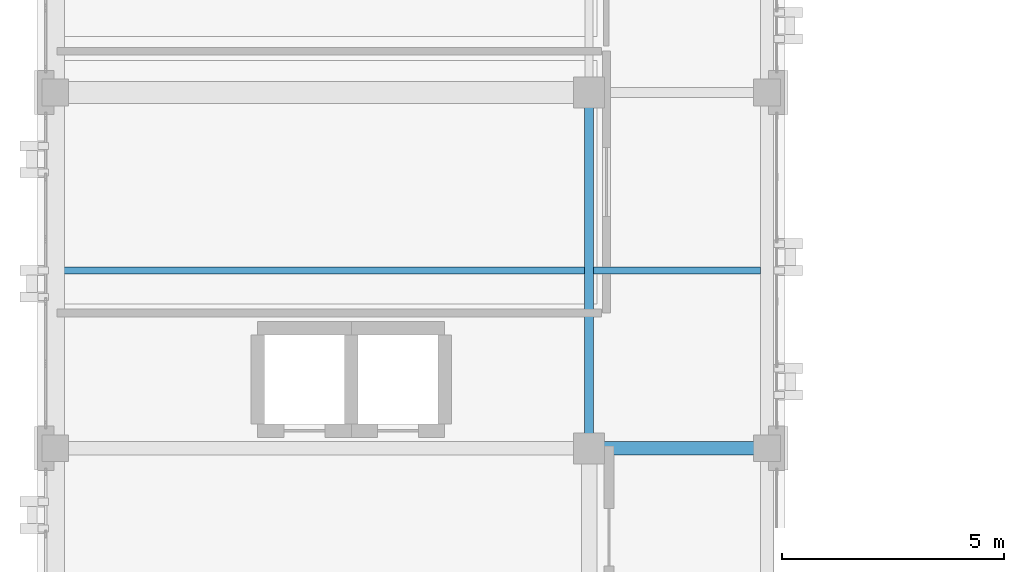
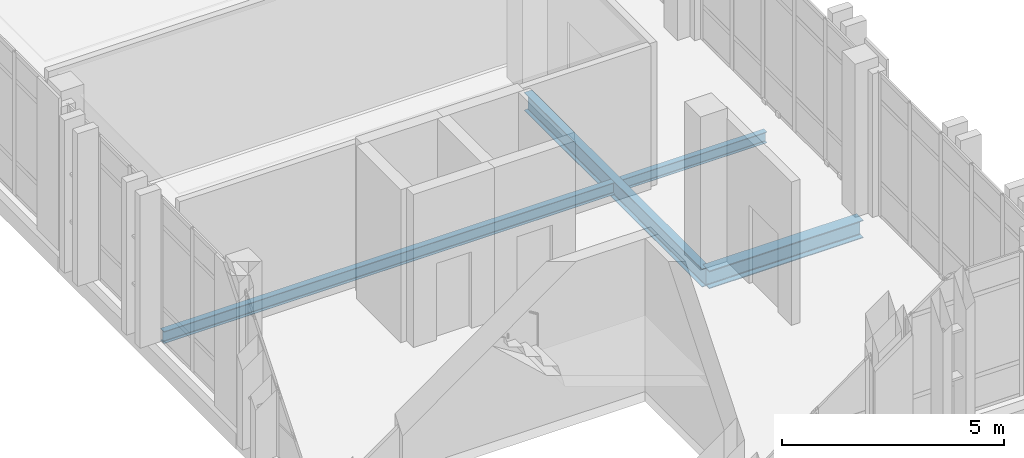
# One storey, part 6 of 77: 4 beams.
"""IFC4 building model written with IfcOpenShell, lengths in metres."""

from ifc_helpers import new_model, si_unit, direction, frame, origin, origin_2d, place, context, subcontext, project, spatial, i_section, extrude, material, material_profile, profile_set, type_object, element, save


model = new_model("IFC4")

# Units and contexts
model_context = context("Model", 3, precision=1e-05, world=origin(), true_north=direction((0.0, 1.0)))
body_context = subcontext(model_context, "Body", "Model", "MODEL_VIEW")
ifc_project = project(units=[si_unit("LENGTHUNIT", "METRE"), si_unit("AREAUNIT", "SQUARE_METRE"), si_unit("VOLUMEUNIT", "CUBIC_METRE"), si_unit("PLANEANGLEUNIT", "RADIAN"), si_unit("MASSUNIT", "GRAM", prefix="KILO")], contexts=[model_context])

# Site, building, storey
site_placement = place(None, origin())
site = spatial("IfcSite", under=ifc_project, at=site_placement, CompositionType="ELEMENT")
building_placement = place(site_placement, origin())
building = spatial("IfcBuilding", under=site, at=building_placement, Name="Qalavern Law Courts", CompositionType="ELEMENT")
storey_placement = place(building_placement, frame((0.0, 0.0, 27.0)))
storey = spatial("IfcBuildingStorey", under=building, at=storey_placement, Name="L06", CompositionType="ELEMENT", Elevation=27.0)

# Beams
ifc_material = material(Name="Steel S355", Category="steel")
ifc_material_profile_1 = material_profile(ifc_material, i_section(OverallWidth=0.300048828125, OverallDepth=0.489990234375, WebThickness=0.011962890625, FlangeThickness=0.02294921875, FilletRadius=0.027099609375, at=origin_2d()), Name="HEA 500")
ifc_profile_set_1 = profile_set([ifc_material_profile_1], Name="Steel S355")
beam_type_1 = type_object("IfcBeamType", Name="STR-BM-HEA500", PredefinedType="BEAM", material=ifc_profile_set_1)
beam_1_placement = place(storey_placement, frame((14.39990234375, 49.39990234375, -0.514892578125), z_axis=(1.0, 0.0, 0.0), x_axis=(0.0, 1.0, 0.0)))
element("IfcBeam", 1, at=beam_1_placement, inside=storey, type_object=beam_type_1, Name="V3 X-beam 2-2 L06", PredefinedType="BEAM", context=body_context, shape_type="SweptSolid", body=[
    extrude(i_section(OverallWidth=0.300048828125, OverallDepth=0.489990234375, WebThickness=0.011962890625, FlangeThickness=0.02294921875, FilletRadius=0.027099609375, at=origin_2d()), origin(), (0.0, 0.0, 1.0), 4.0),
])
ifc_material_profile_2 = material_profile(ifc_material, i_section(OverallWidth=0.199951171875, OverallDepth=0.5, WebThickness=0.01025390625, FlangeThickness=0.01611328125, FilletRadius=0.02099609375, at=origin_2d()), Name="IPE 500")
ifc_profile_set_2 = profile_set([ifc_material_profile_2], Name="Steel S355")
beam_type_2 = type_object("IfcBeamType", Name="STR-BM-IPE500", PredefinedType="BEAM", material=ifc_profile_set_2)
beam_2_placement = place(storey_placement, frame((14.39990234375, 49.39990234375, -0.52001953125), z_axis=(0.0, 1.0, 0.0), x_axis=(-1.0, 0.0, 0.0)))
element("IfcBeam", 2, at=beam_2_placement, inside=storey, type_object=beam_type_2, Name="V3 Y-beam 2-2 L06", PredefinedType="BEAM", context=body_context, shape_type="SweptSolid", body=[
    extrude(i_section(OverallWidth=0.199951171875, OverallDepth=0.5, WebThickness=0.01025390625, FlangeThickness=0.01611328125, FilletRadius=0.02099609375, at=origin_2d()), origin(), (0.0, 0.0, 1.0), 8.0),
])
ifc_material_profile_3 = material_profile(ifc_material, i_section(OverallWidth=0.14990234375, OverallDepth=0.300048828125, WebThickness=0.007080078125, FlangeThickness=0.0107421875, FilletRadius=0.014892578125, at=origin_2d()), Name="IPE 300")
ifc_profile_set_3 = profile_set([ifc_material_profile_3], Name="Steel S355")
beam_type_3 = type_object("IfcBeamType", Name="STR-JST-IPE300", PredefinedType="JOIST", material=ifc_profile_set_3)
beam_3_placement = place(storey_placement, frame((14.498046875, 53.39990234375, -0.419921875), z_axis=(1.0, 0.0, 0.0), x_axis=(0.0, 1.0, 0.0)))
element("IfcBeam", 3, at=beam_3_placement, inside=storey, type_object=beam_type_3, Name="V3 secondary joist 2.2.1 L06", PredefinedType="JOIST", context=body_context, shape_type="SweptSolid", body=[
    extrude(i_section(OverallWidth=0.14990234375, OverallDepth=0.300048828125, WebThickness=0.007080078125, FlangeThickness=0.0107421875, FilletRadius=0.014892578125, at=origin_2d()), origin(), (0.0, 0.0, 1.0), 3.75390625),
])
ifc_material_profile_4 = material_profile(ifc_material, i_section(OverallWidth=0.159912109375, OverallDepth=0.330078125, WebThickness=0.007568359375, FlangeThickness=0.011474609375, FilletRadius=0.01806640625, at=origin_2d()), Name="IPE 330")
ifc_profile_set_4 = profile_set([ifc_material_profile_4], Name="Steel S355")
beam_type_4 = type_object("IfcBeamType", Name="STR-JST-IPE330", PredefinedType="JOIST", material=ifc_profile_set_4)
beam_4_placement = place(storey_placement, frame((2.597900390625, 53.39990234375, -0.43505859375), z_axis=(1.0, 0.0, 0.0), x_axis=(0.0, 1.0, 0.0)))
element("IfcBeam", 4, at=beam_4_placement, inside=storey, type_object=beam_type_4, Name="V3 secondary joist 1.2.1 L06", PredefinedType="JOIST", context=body_context, shape_type="SweptSolid", body=[
    extrude(i_section(OverallWidth=0.159912109375, OverallDepth=0.330078125, WebThickness=0.007568359375, FlangeThickness=0.011474609375, FilletRadius=0.01806640625, at=origin_2d()), origin(), (0.0, 0.0, 1.0), 11.7041015625),
])

save(model, "model.ifc")
